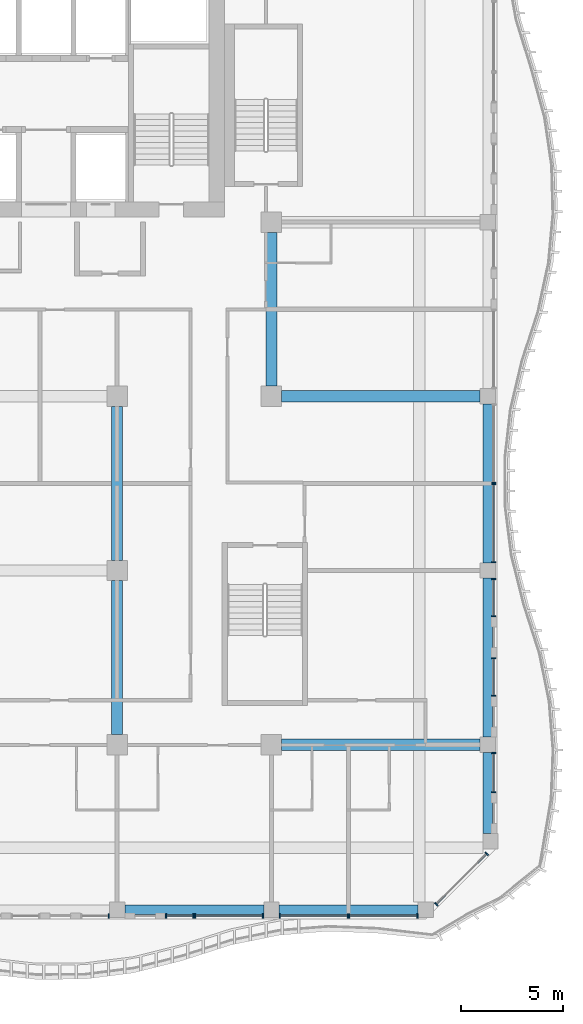
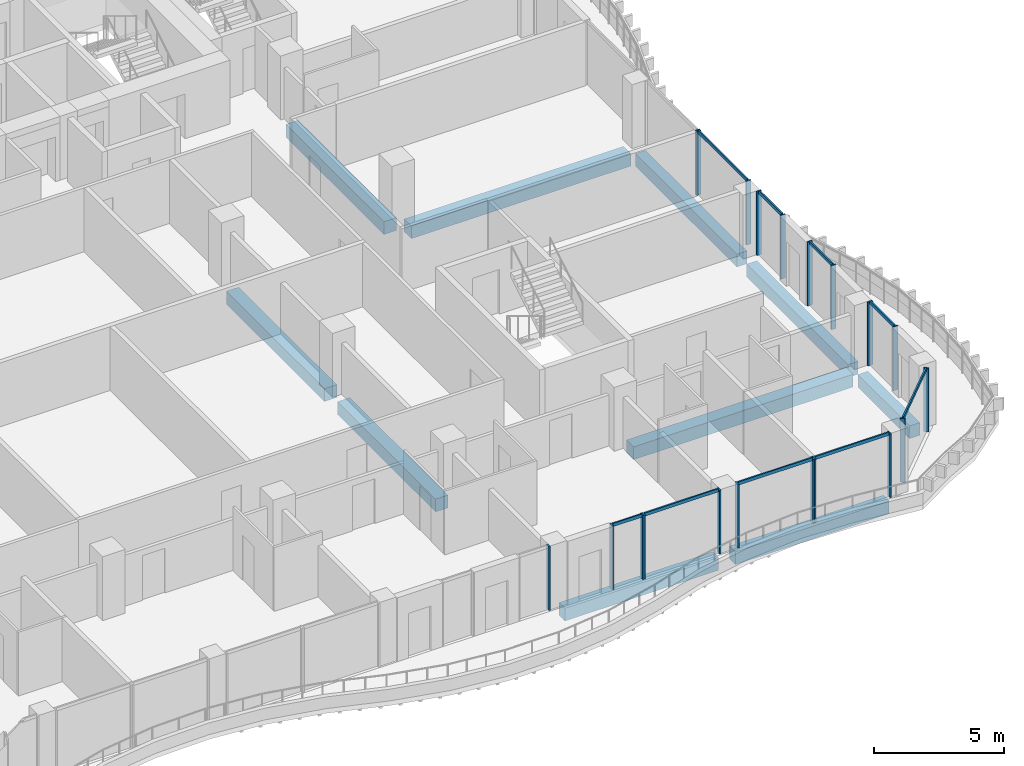
# One storey, part 4 of 22: 29 members, 10 beams, 11 elements without a shape of their own.
"""IFC4 building model written with IfcOpenShell, lengths in metres."""

import ifcopenshell
import ifcopenshell.guid

model = None  # the IFC model being written
_history = None  # IfcOwnerHistory: only IFC2X3 demands one
_inside = {}  # id of a spatial element -> (the spatial element, [elements in it])
_under = {}  # id of a project, library or spatial element -> (it, [spatial elements below it])
_declared = {}  # id of a project -> (the project, [libraries it declares])
_typed = {}  # id of a type object -> (the type object, [elements of that type])
_made_of = {}  # id of a material, layer set ... -> (it, [elements and type objects made of it])


def new_model(schema):
    """Start an empty IFC model of exactly this schema.

    Asked for "IFC4X3", IfcOpenShell would pick the latest addendum, in which some entities
    have other attributes; the version numbers below select the first issue.
    IFC2X3 requires an IfcOwnerHistory on every rooted entity: one is made here for all.
    """
    global model, _history
    if schema == "IFC4X3":
        model = ifcopenshell.file(schema_version=(4, 3, 0, 0))
    else:
        model = ifcopenshell.file(schema=schema)
    _inside.clear()
    _under.clear()
    _declared.clear()
    _typed.clear()
    _made_of.clear()
    _history = None
    if model.schema == "IFC2X3":
        org = make("IfcOrganization", Name="unknown")
        user = make(
            "IfcPersonAndOrganization",
            ThePerson=make("IfcPerson", FamilyName="unknown"),
            TheOrganization=org,
        )
        app = make(
            "IfcApplication",
            ApplicationDeveloper=org,
            Version="unknown",
            ApplicationFullName="unknown",
            ApplicationIdentifier="unknown",
        )
        _history = make(
            "IfcOwnerHistory",
            OwningUser=user,
            OwningApplication=app,
            ChangeAction="ADDED",
            CreationDate=0,
        )
    return model


def make(cls, **values):
    """One entity of the class cls with the attributes given. An attribute that is None is left unset."""
    return model.create_entity(
        cls, **{name: value for name, value in values.items() if value is not None}
    )


def rooted(cls, **values):
    """An entity with a GlobalId (a new one), such as an element, a storey or a relation."""
    return make(cls, GlobalId=ifcopenshell.guid.new(), OwnerHistory=_history, **values)


def si_unit(unit_type, name, prefix=None):
    """IfcSIUnit, for example si_unit("LENGTHUNIT", "METRE", prefix="MILLI")."""
    return make("IfcSIUnit", UnitType=unit_type, Prefix=prefix, Name=name)


def assignment(units):
    """IfcUnitAssignment: the units of a project."""
    return None if units is None else make("IfcUnitAssignment", Units=units)


def point(xyz):
    """IfcCartesianPoint."""
    return None if xyz is None else make("IfcCartesianPoint", Coordinates=xyz)


def direction(xyz):
    """IfcDirection."""
    return None if xyz is None else make("IfcDirection", DirectionRatios=xyz)


def frame(location, z_axis=None, x_axis=None):
    """IfcAxis2Placement3D, a coordinate frame: its origin and axes. An axis left out is left unset."""
    return make(
        "IfcAxis2Placement3D",
        Location=point(location),
        Axis=direction(z_axis),
        RefDirection=direction(x_axis),
    )


def frame_2d(location, x_axis=None):
    """IfcAxis2Placement2D, a coordinate frame in the plane: its origin and x axis."""
    return make(
        "IfcAxis2Placement2D", Location=point(location), RefDirection=direction(x_axis)
    )


def origin():
    """The frame at (0, 0, 0) with its axes left unset."""
    return frame((0.0, 0.0, 0.0))


def origin_2d():
    """The frame at (0, 0) in the plane with its x axis left unset."""
    return frame_2d((0.0, 0.0))


def place(relative_to, where):
    """IfcLocalPlacement: puts the frame where relative to a parent placement (None: the world)."""
    return make(
        "IfcLocalPlacement", PlacementRelTo=relative_to, RelativePlacement=where
    )


def context(
    kind, dimensions, precision=None, world=None, true_north=None, identifier=None
):
    """IfcGeometricRepresentationContext, for example the 3D "Model" context."""
    return make(
        "IfcGeometricRepresentationContext",
        ContextIdentifier=identifier,
        ContextType=kind,
        CoordinateSpaceDimension=dimensions,
        Precision=precision,
        WorldCoordinateSystem=world,
        TrueNorth=true_north,
    )


def subcontext(parent, identifier, kind, view, scale=None):
    """IfcGeometricRepresentationSubContext, for example "Body" below "Model"."""
    return make(
        "IfcGeometricRepresentationSubContext",
        ContextIdentifier=identifier,
        ContextType=kind,
        ParentContext=parent,
        TargetScale=scale,
        TargetView=view,
    )


def project(units=None, contexts=None):
    """IfcProject with its units and contexts."""
    return rooted(
        "IfcProject",
        Name="project",
        RepresentationContexts=contexts,
        UnitsInContext=assignment(units),
    )


def spatial(cls, under=None, at=None, **own):
    """A site, building, storey or space (cls), placed at a placement, below another one or the project."""
    s = rooted(cls, ObjectPlacement=at, **own)
    if under is not None:
        _under.setdefault(under.id(), (under, []))[1].append(s)
    return s


def profile(cls, at=None, kind="AREA", **sizes):
    """A parametric profile (cls). Its sizes go by their IFC names, for example OverallWidth=200.0."""
    return make(cls, ProfileType=kind, Position=at, **sizes)


def rectangle(**sizes):
    """IfcRectangleProfileDef."""
    return profile("IfcRectangleProfileDef", **sizes)


def extrude(swept, where, along, depth):
    """IfcExtrudedAreaSolid: the profile swept, set in the frame where, extruded along a direction by depth."""
    return make(
        "IfcExtrudedAreaSolid",
        SweptArea=swept,
        Position=where,
        ExtrudedDirection=direction(along),
        Depth=depth,
    )


def shape(context_of_items, identifier, shape_type, items):
    """IfcShapeRepresentation: the items that make up one representation, for example the "Body"."""
    return make(
        "IfcShapeRepresentation",
        ContextOfItems=context_of_items,
        RepresentationIdentifier=identifier,
        RepresentationType=shape_type,
        Items=items,
    )


def source(mapping_origin, context_of_items, identifier, shape_type, items):
    """IfcRepresentationMap: a shape defined once, which mapped items show again and again."""
    return make(
        "IfcRepresentationMap",
        MappingOrigin=mapping_origin,
        MappedRepresentation=shape(context_of_items, identifier, shape_type, items),
    )


def transform(
    local_origin,
    x_axis=None,
    y_axis=None,
    z_axis=None,
    scale=None,
    scale2=None,
    scale3=None,
    uniform=True,
):
    """IfcCartesianTransformationOperator3D, or its non-uniform kind. x_axis, y_axis, z_axis: its Axis1, 2, 3."""
    if uniform:
        return make(
            "IfcCartesianTransformationOperator3D",
            Axis1=direction(x_axis),
            Axis2=direction(y_axis),
            LocalOrigin=point(local_origin),
            Scale=scale,
            Axis3=direction(z_axis),
        )
    return make(
        "IfcCartesianTransformationOperator3DnonUniform",
        Axis1=direction(x_axis),
        Axis2=direction(y_axis),
        LocalOrigin=point(local_origin),
        Scale=scale,
        Axis3=direction(z_axis),
        Scale2=scale2,
        Scale3=scale3,
    )


def mapped(mapping_source, mapping_target):
    """IfcMappedItem: shows the shape of a source again, moved by a transform."""
    return make(
        "IfcMappedItem", MappingSource=mapping_source, MappingTarget=mapping_target
    )


def material(Name=None, Category=None):
    """IfcMaterial."""
    return make("IfcMaterial", Name=Name, Category=Category)


def material_profile(
    of_material, cross_section, Name=None, Category=None, Priority=None
):
    """IfcMaterialProfile: a cross section and its material."""
    return make(
        "IfcMaterialProfile",
        Name=Name,
        Material=of_material,
        Profile=cross_section,
        Priority=Priority,
        Category=Category,
    )


def profile_set(profiles, Name=None, composite=None):
    """IfcMaterialProfileSet."""
    return make(
        "IfcMaterialProfileSet",
        Name=Name,
        MaterialProfiles=profiles,
        CompositeProfile=composite,
    )


def made_of(thing, what):
    """Note that an element or type object is made of a material, layer set ...; save() writes the relation."""
    if what is not None:
        _made_of.setdefault(what.id(), (what, []))[1].append(thing)
    return thing


def type_object(cls, material=None, **own):
    """A type object (cls), such as IfcWallType, which elements share."""
    return made_of(rooted(cls, **own), material)


def element(
    cls,
    number,
    at=None,
    inside=None,
    cuts=None,
    type_object=None,
    material=None,
    context=None,
    identifier="Body",
    shape_type=None,
    held_by="IfcProductDefinitionShape",
    body=None,
    shapes=None,
    **own,
):
    """One element of the class cls, such as IfcWall. Its Tag is "e" and its number.

    at: its placement. inside: the storey or other place that contains it. cuts: it is an
    opening in that element (IfcRelVoidsElement). A single representation is given by context,
    identifier, shape_type and body (its items); several are given by shapes. held_by: the class
    of the entity that holds the representations. save() writes the other relations.
    """
    e = rooted(cls, Tag="e%d" % number, ObjectPlacement=at, **own)
    if body is not None:
        shapes = [shape(context, identifier, shape_type, body)]
    if shapes is not None:
        e.Representation = make(held_by, Representations=shapes)
    if inside is not None:
        _inside.setdefault(inside.id(), (inside, []))[1].append(e)
    if cuts is not None:
        rooted(
            "IfcRelVoidsElement", RelatingBuildingElement=cuts, RelatedOpeningElement=e
        )
    if type_object is not None:
        _typed.setdefault(type_object.id(), (type_object, []))[1].append(e)
    return made_of(e, material)


def aggregate(whole, parts):
    """IfcRelAggregates: a whole, such as a stair, and the parts it consists of."""
    return rooted("IfcRelAggregates", RelatingObject=whole, RelatedObjects=parts)


def save(model, path):
    """Write the relations noted so far, then the file.

    IfcRelAggregates (storeys below a building ...), IfcRelContainedInSpatialStructure (elements
    in a storey), IfcRelDefinesByType, IfcRelAssociatesMaterial and IfcRelDeclares: one each for
    every whole, place, type object, material and project.
    """
    for whole, parts in _under.values():
        aggregate(whole, parts)
    for where, things in _inside.values():
        rooted(
            "IfcRelContainedInSpatialStructure",
            RelatedElements=things,
            RelatingStructure=where,
        )
    for kind, things in _typed.values():
        rooted("IfcRelDefinesByType", RelatedObjects=things, RelatingType=kind)
    for what, things in _made_of.values():
        rooted("IfcRelAssociatesMaterial", RelatedObjects=things, RelatingMaterial=what)
    for by, libraries in _declared.values():
        rooted("IfcRelDeclares", RelatingContext=by, RelatedDefinitions=libraries)
    model.write(path)


model = new_model("IFC4")

# Units and contexts
model_context = context("Model", 3, precision=1e-05, world=origin(), true_north=direction((0.0, 1.0)))
body_context = subcontext(model_context, "Body", "Model", "MODEL_VIEW")
ifc_project = project(units=[si_unit("LENGTHUNIT", "METRE"), si_unit("AREAUNIT", "SQUARE_METRE"), si_unit("VOLUMEUNIT", "CUBIC_METRE"), si_unit("PLANEANGLEUNIT", "RADIAN"), si_unit("MASSUNIT", "GRAM", prefix="KILO")], contexts=[model_context])

# Site, building, storey
site_placement = place(None, origin())
site = spatial("IfcSite", under=ifc_project, at=site_placement, CompositionType="ELEMENT")
building_placement = place(site_placement, origin())
building = spatial("IfcBuilding", under=site, at=building_placement, Name="Kilnfold Tower and Market Hall", CompositionType="ELEMENT")
storey_placement = place(building_placement, frame((0.0, 0.0, 220.300048828125)))
storey = spatial("IfcBuildingStorey", under=building, at=storey_placement, Name="L54", CompositionType="ELEMENT", Elevation=220.300048828125)

# Beams
ifc_material_1 = material(Name="Concrete C45", Category="concrete")
ifc_material_profile_1 = material_profile(ifc_material_1, rectangle(XDim=0.449951171875, YDim=0.60009765625, at=origin_2d()), Name="RC 450x600")
ifc_profile_set_1 = profile_set([ifc_material_profile_1], Name="Concrete C45")
beam_type_1 = type_object("IfcBeamType", Name="EDGE BEAM 450X600 C45", PredefinedType="BEAM", material=ifc_profile_set_1)
shared_shape_1 = source(origin(), body_context, "Body", "SweptSolid", [
    extrude(rectangle(XDim=0.449951171875, YDim=0.60009765625, at=origin_2d()), origin(), (0.0, 0.0, 1.0), 6.833251953125),
])
beam_1_placement = place(storey_placement, frame((20.541748046875, -25.800048828125, -0.580078125), z_axis=(1.0, 0.0, 0.0), x_axis=(0.0, 1.0, 0.0)))
element("IfcBeam", 1, at=beam_1_placement, inside=storey, type_object=beam_type_1, Name="Beam EB600-B6.44", PredefinedType="BEAM", context=body_context, shape_type="MappedRepresentation", body=[
    mapped(shared_shape_1, transform((0.0, 0.0, 0.0))),
])
shared_shape_2 = source(origin(), body_context, "Body", "SweptSolid", [
    extrude(rectangle(XDim=0.449951171875, YDim=0.60009765625, at=origin_2d()), origin(), (0.0, 0.0, 1.0), 6.83349609375),
])
beam_2_placement = place(storey_placement, frame((12.958251953125, -25.800048828125, -0.580078125), z_axis=(1.0, 0.0, 0.0), x_axis=(0.0, 1.0, 0.0)))
element("IfcBeam", 2, at=beam_2_placement, inside=storey, type_object=beam_type_1, Name="Beam EB600-B6.43", PredefinedType="BEAM", context=body_context, shape_type="MappedRepresentation", body=[
    mapped(shared_shape_2, transform((0.0, 0.0, 0.0))),
])
ifc_material_2 = material(Name="Concrete C45", Category="concrete")
ifc_material_profile_2 = material_profile(ifc_material_2, rectangle(XDim=0.550048828125, YDim=0.60009765625, at=origin_2d()), Name="RC 550x600")
ifc_profile_set_2 = profile_set([ifc_material_profile_2], Name="Concrete C45")
beam_type_2 = type_object("IfcBeamType", Name="BEAM 550X600 C45", PredefinedType="BEAM", material=ifc_profile_set_2)
shared_shape_3 = source(origin(), body_context, "Body", "SweptSolid", [
    extrude(rectangle(XDim=0.550048828125, YDim=0.60009765625, at=origin_2d()), origin(), (0.0, 0.0, 1.0), 9.75830078125),
])
for number, where, z_axis, x_axis, name in (
    (3, (20.666748046875, -17.68994140625, -0.580078125), (1.0, 0.0, 0.0), (0.0, 1.0, 0.0), "Beam BB600-B6.47"),
    (4, (20.666748046875, -0.56005859375, -0.580078125), (1.0, 0.0, 0.0), (0.0, 1.0, 0.0), "Beam BB600-B6.51"),
):
    element("IfcBeam", number, at=place(storey_placement, frame(where, z_axis=z_axis, x_axis=x_axis)), inside=storey, type_object=beam_type_2, Name=name, PredefinedType="BEAM", context=body_context, shape_type="MappedRepresentation", body=[
        mapped(shared_shape_3, transform((0.0, 0.0, 0.0))),
    ])
shared_shape_4 = source(origin(), body_context, "Body", "SweptSolid", [
    extrude(rectangle(XDim=0.449951171875, YDim=0.60009765625, at=origin_2d()), origin(), (0.0, 0.0, 1.0), 7.8125),
])
for number, where, z_axis, x_axis, name in (
    (5, (30.800048828125, -17.3125, -0.580078125), (0.0, 1.0, 0.0), (-1.0, 0.0, 0.0), "Beam EB600-B6.71"),
    (6, (30.800048828125, -8.75, -0.580078125), (0.0, 1.0, 0.0), (-1.0, 0.0, 0.0), "Beam EB600-B6.72"),
):
    element("IfcBeam", number, at=place(storey_placement, frame(where, z_axis=z_axis, x_axis=x_axis)), inside=storey, type_object=beam_type_1, Name=name, PredefinedType="BEAM", context=body_context, shape_type="MappedRepresentation", body=[
        mapped(shared_shape_4, transform((0.0, 0.0, 0.0))),
    ])
shared_shape_5 = source(origin(), body_context, "Body", "SweptSolid", [
    extrude(rectangle(XDim=0.550048828125, YDim=0.60009765625, at=origin_2d()), origin(), (0.0, 0.0, 1.0), 7.5625),
])
for number, where, z_axis, x_axis, name in (
    (7, (12.580078125, -17.1875, -0.580078125), (0.0, 1.0, 0.0), (-1.0, 0.0, 0.0), "Beam BB600-B6.66"),
    (8, (12.580078125, -8.625, -0.580078125), (0.0, 1.0, 0.0), (-1.0, 0.0, 0.0), "Beam BB600-B6.67"),
    (9, (20.169921875, -0.0625, -0.580078125), (0.0, 1.0, 0.0), (-1.0, 0.0, 0.0), "Beam BB600-B6.68"),
):
    element("IfcBeam", number, at=place(storey_placement, frame(where, z_axis=z_axis, x_axis=x_axis)), inside=storey, type_object=beam_type_2, Name=name, PredefinedType="BEAM", context=body_context, shape_type="MappedRepresentation", body=[
        mapped(shared_shape_5, transform((0.0, 0.0, 0.0))),
    ])
shared_shape_6 = source(origin(), body_context, "Body", "SweptSolid", [
    extrude(rectangle(XDim=0.449951171875, YDim=0.60009765625, at=origin_2d()), origin(), (0.0, 0.0, 1.0), 3.994384765625),
])
beam_3_placement = place(storey_placement, frame((30.800048828125, -22.056884765625, -0.580078125), z_axis=(0.0, 1.0, 0.0), x_axis=(-1.0, 0.0, 0.0)))
element("IfcBeam", 10, at=beam_3_placement, inside=storey, type_object=beam_type_1, Name="Beam EB600-B6.70", PredefinedType="BEAM", context=body_context, shape_type="MappedRepresentation", body=[
    mapped(shared_shape_6, transform((0.0, 0.0, 0.0))),
])

# Curtain wall, member
ifc_material_3 = material(Name="Aluminium and double glazing", Category="aluminium")
curtain_wall_type = type_object("IfcCurtainWallType", Name="CW GARDEN HOTEL WINTER GARDEN", PredefinedType="NOTDEFINED", material=ifc_material_3)
curtain_wall_1_placement = place(storey_placement, origin())
curtain_wall_1 = element("IfcCurtainWall", 11, at=curtain_wall_1_placement, inside=storey, type_object=curtain_wall_type, Name="Curtain wall CW5 L54 S", PredefinedType="NOTDEFINED")
ifc_material_4 = material(Name="Aluminium", Category="aluminium")
ifc_material_profile_3 = material_profile(ifc_material_4, rectangle(XDim=0.06494140625, YDim=0.2099609375, at=origin_2d()), Name="MULLION 65x210")
ifc_profile_set_3 = profile_set([ifc_material_profile_3], Name="Aluminium")
member_type_1 = type_object("IfcMemberType", Name="MULLION 65X210", PredefinedType="MULLION", material=ifc_profile_set_3)
shared_shape_7 = source(origin(), body_context, "Body", "SweptSolid", [
    extrude(rectangle(XDim=0.06494140625, YDim=0.2099609375, at=origin_2d()), origin(), (0.0, 0.0, 1.0), 3.0),
])
member_1_placement = place(storey_placement, frame((12.17578125, -26.10009765625, 0.0), z_axis=(0.0, 0.0, 1.0), x_axis=(1.0, 0.0, 0.0)))
member_1 = element("IfcMember", 12, at=member_1_placement, type_object=member_type_1, Name="CW5 mullion 2", PredefinedType="MULLION", context=body_context, shape_type="MappedRepresentation", body=[
    mapped(shared_shape_7, transform((0.0, 0.0, 0.0))),
])
aggregate(curtain_wall_1, [member_1])

# Curtain wall, members
curtain_wall_2_placement = place(storey_placement, origin())
curtain_wall_2 = element("IfcCurtainWall", 13, at=curtain_wall_2_placement, inside=storey, type_object=curtain_wall_type, Name="Curtain wall CW5 L54 S", PredefinedType="NOTDEFINED")
member_2_placement = place(storey_placement, frame((14.99072265625, -26.10009765625, 0.0), z_axis=(0.0, 0.0, 1.0), x_axis=(1.0, 0.0, 0.0)))
member_2 = element("IfcMember", 14, at=member_2_placement, type_object=member_type_1, Name="CW5 mullion 1", PredefinedType="MULLION", context=body_context, shape_type="MappedRepresentation", body=[
    mapped(shared_shape_7, transform((0.0, 0.0, 0.0))),
])
member_3_placement = place(storey_placement, frame((16.342529296875, -26.10009765625, 0.0), z_axis=(0.0, 0.0, 1.0), x_axis=(1.0, 0.0, 0.0)))
member_3 = element("IfcMember", 15, at=member_3_placement, type_object=member_type_1, Name="CW5 mullion 2", PredefinedType="MULLION", context=body_context, shape_type="MappedRepresentation", body=[
    mapped(shared_shape_7, transform((0.0, 0.0, 0.0))),
])

curtain_wall_3_placement = place(storey_placement, origin())
curtain_wall_3 = element("IfcCurtainWall", 16, at=curtain_wall_3_placement, inside=storey, type_object=curtain_wall_type, Name="Curtain wall CW5 L54 S", PredefinedType="NOTDEFINED")
member_4_placement = place(storey_placement, frame((16.407470703125, -26.10009765625, 0.0), z_axis=(0.0, 0.0, 1.0), x_axis=(1.0, 0.0, 0.0)))
member_4 = element("IfcMember", 17, at=member_4_placement, type_object=member_type_1, Name="CW5 mullion 1", PredefinedType="MULLION", context=body_context, shape_type="MappedRepresentation", body=[
    mapped(shared_shape_7, transform((0.0, 0.0, 0.0))),
])
member_5_placement = place(storey_placement, frame((19.75927734375, -26.10009765625, 0.0), z_axis=(0.0, 0.0, 1.0), x_axis=(1.0, 0.0, 0.0)))
member_5 = element("IfcMember", 18, at=member_5_placement, type_object=member_type_1, Name="CW5 mullion 2", PredefinedType="MULLION", context=body_context, shape_type="MappedRepresentation", body=[
    mapped(shared_shape_7, transform((0.0, 0.0, 0.0))),
])

curtain_wall_4_placement = place(storey_placement, origin())
curtain_wall_4 = element("IfcCurtainWall", 19, at=curtain_wall_4_placement, inside=storey, type_object=curtain_wall_type, Name="Curtain wall CW5 L54 S", PredefinedType="NOTDEFINED")
member_6_placement = place(storey_placement, frame((20.57421875, -26.10009765625, 0.0), z_axis=(0.0, 0.0, 1.0), x_axis=(1.0, 0.0, 0.0)))
member_6 = element("IfcMember", 20, at=member_6_placement, type_object=member_type_1, Name="CW5 mullion 1", PredefinedType="MULLION", context=body_context, shape_type="MappedRepresentation", body=[
    mapped(shared_shape_7, transform((0.0, 0.0, 0.0))),
])
member_7_placement = place(storey_placement, frame((23.92578125, -26.10009765625, 0.0), z_axis=(0.0, 0.0, 1.0), x_axis=(1.0, 0.0, 0.0)))
member_7 = element("IfcMember", 21, at=member_7_placement, type_object=member_type_1, Name="CW5 mullion 2", PredefinedType="MULLION", context=body_context, shape_type="MappedRepresentation", body=[
    mapped(shared_shape_7, transform((0.0, 0.0, 0.0))),
])

curtain_wall_5_placement = place(storey_placement, origin())
curtain_wall_5 = element("IfcCurtainWall", 22, at=curtain_wall_5_placement, inside=storey, type_object=curtain_wall_type, Name="Curtain wall CW5 L54 S", PredefinedType="NOTDEFINED")
member_8_placement = place(storey_placement, frame((23.99072265625, -26.10009765625, 0.0), z_axis=(0.0, 0.0, 1.0), x_axis=(1.0, 0.0, 0.0)))
member_8 = element("IfcMember", 23, at=member_8_placement, type_object=member_type_1, Name="CW5 mullion 1", PredefinedType="MULLION", context=body_context, shape_type="MappedRepresentation", body=[
    mapped(shared_shape_7, transform((0.0, 0.0, 0.0))),
])
member_9_placement = place(storey_placement, frame((27.342529296875, -26.10009765625, 0.0), z_axis=(0.0, 0.0, 1.0), x_axis=(1.0, 0.0, 0.0)))
member_9 = element("IfcMember", 24, at=member_9_placement, type_object=member_type_1, Name="CW5 mullion 2", PredefinedType="MULLION", context=body_context, shape_type="MappedRepresentation", body=[
    mapped(shared_shape_7, transform((0.0, 0.0, 0.0))),
])

curtain_wall_6_placement = place(storey_placement, origin())
curtain_wall_6 = element("IfcCurtainWall", 25, at=curtain_wall_6_placement, inside=storey, type_object=curtain_wall_type, Name="Curtain wall CW5 L54 SE", PredefinedType="NOTDEFINED")
member_10_placement = place(storey_placement, frame((28.266845703125, -25.52099609375, 0.0), z_axis=(0.0, 0.0, 1.0), x_axis=(0.707092779216, 0.70712078288, 0.0)))
member_10 = element("IfcMember", 26, at=member_10_placement, type_object=member_type_1, Name="CW5 mullion 1", PredefinedType="MULLION", context=body_context, shape_type="MappedRepresentation", body=[
    mapped(shared_shape_7, transform((0.0, 0.0, 0.0))),
])
member_11_placement = place(storey_placement, frame((30.745849609375, -23.0419921875, 0.0), z_axis=(0.0, 0.0, 1.0), x_axis=(0.707092779216, 0.70712078288, 0.0)))
member_11 = element("IfcMember", 27, at=member_11_placement, type_object=member_type_1, Name="CW5 mullion 2", PredefinedType="MULLION", context=body_context, shape_type="MappedRepresentation", body=[
    mapped(shared_shape_7, transform((0.0, 0.0, 0.0))),
])

curtain_wall_7_placement = place(storey_placement, origin())
curtain_wall_7 = element("IfcCurtainWall", 28, at=curtain_wall_7_placement, inside=storey, type_object=curtain_wall_type, Name="Curtain wall CW5 L54 E", PredefinedType="NOTDEFINED")
member_12_placement = place(storey_placement, frame((31.10009765625, -20.0244140625, 0.0), z_axis=(0.0, 0.0, 1.0), x_axis=(0.0, 1.0, 0.0)))
member_12 = element("IfcMember", 29, at=member_12_placement, type_object=member_type_1, Name="CW5 mullion 1", PredefinedType="MULLION", context=body_context, shape_type="MappedRepresentation", body=[
    mapped(shared_shape_7, transform((0.0, 0.0, 0.0))),
])
member_13_placement = place(storey_placement, frame((31.10009765625, -18.094970703125, 0.0), z_axis=(0.0, 0.0, 1.0), x_axis=(0.0, 1.0, 0.0)))
member_13 = element("IfcMember", 30, at=member_13_placement, type_object=member_type_1, Name="CW5 mullion 2", PredefinedType="MULLION", context=body_context, shape_type="MappedRepresentation", body=[
    mapped(shared_shape_7, transform((0.0, 0.0, 0.0))),
])

curtain_wall_8_placement = place(storey_placement, origin())
curtain_wall_8 = element("IfcCurtainWall", 31, at=curtain_wall_8_placement, inside=storey, type_object=curtain_wall_type, Name="Curtain wall CW5 L54 E", PredefinedType="NOTDEFINED")
member_14_placement = place(storey_placement, frame((31.10009765625, -15.280029296875, 0.0), z_axis=(0.0, 0.0, 1.0), x_axis=(0.0, 1.0, 0.0)))
member_14 = element("IfcMember", 32, at=member_14_placement, type_object=member_type_1, Name="CW5 mullion 1", PredefinedType="MULLION", context=body_context, shape_type="MappedRepresentation", body=[
    mapped(shared_shape_7, transform((0.0, 0.0, 0.0))),
])
member_15_placement = place(storey_placement, frame((31.10009765625, -13.438720703125, 0.0), z_axis=(0.0, 0.0, 1.0), x_axis=(0.0, 1.0, 0.0)))
member_15 = element("IfcMember", 33, at=member_15_placement, type_object=member_type_1, Name="CW5 mullion 2", PredefinedType="MULLION", context=body_context, shape_type="MappedRepresentation", body=[
    mapped(shared_shape_7, transform((0.0, 0.0, 0.0))),
])

curtain_wall_9_placement = place(storey_placement, origin())
curtain_wall_9 = element("IfcCurtainWall", 34, at=curtain_wall_9_placement, inside=storey, type_object=curtain_wall_type, Name="Curtain wall CW5 L54 E", PredefinedType="NOTDEFINED")
member_16_placement = place(storey_placement, frame((31.10009765625, -11.373779296875, 0.0), z_axis=(0.0, 0.0, 1.0), x_axis=(0.0, 1.0, 0.0)))
member_16 = element("IfcMember", 35, at=member_16_placement, type_object=member_type_1, Name="CW5 mullion 1", PredefinedType="MULLION", context=body_context, shape_type="MappedRepresentation", body=[
    mapped(shared_shape_7, transform((0.0, 0.0, 0.0))),
])
member_17_placement = place(storey_placement, frame((31.10009765625, -9.532470703125, 0.0), z_axis=(0.0, 0.0, 1.0), x_axis=(0.0, 1.0, 0.0)))
member_17 = element("IfcMember", 36, at=member_17_placement, type_object=member_type_1, Name="CW5 mullion 2", PredefinedType="MULLION", context=body_context, shape_type="MappedRepresentation", body=[
    mapped(shared_shape_7, transform((0.0, 0.0, 0.0))),
])

curtain_wall_10_placement = place(storey_placement, origin())
curtain_wall_10 = element("IfcCurtainWall", 37, at=curtain_wall_10_placement, inside=storey, type_object=curtain_wall_type, Name="Curtain wall CW5 L54 E", PredefinedType="NOTDEFINED")
member_18_placement = place(storey_placement, frame((31.10009765625, -8.717529296875, 0.0), z_axis=(0.0, 0.0, 1.0), x_axis=(0.0, 1.0, 0.0)))
member_18 = element("IfcMember", 38, at=member_18_placement, type_object=member_type_1, Name="CW5 mullion 1", PredefinedType="MULLION", context=body_context, shape_type="MappedRepresentation", body=[
    mapped(shared_shape_7, transform((0.0, 0.0, 0.0))),
])
member_19_placement = place(storey_placement, frame((31.10009765625, -4.876220703125, 0.0), z_axis=(0.0, 0.0, 1.0), x_axis=(0.0, 1.0, 0.0)))
member_19 = element("IfcMember", 39, at=member_19_placement, type_object=member_type_1, Name="CW5 mullion 2", PredefinedType="MULLION", context=body_context, shape_type="MappedRepresentation", body=[
    mapped(shared_shape_7, transform((0.0, 0.0, 0.0))),
])

# Curtain wall, member
curtain_wall_11_placement = place(storey_placement, origin())
curtain_wall_11 = element("IfcCurtainWall", 40, at=curtain_wall_11_placement, inside=storey, type_object=curtain_wall_type, Name="Curtain wall CW5 L54 E", PredefinedType="NOTDEFINED")
member_20_placement = place(storey_placement, frame((31.10009765625, -4.811279296875, 0.0), z_axis=(0.0, 0.0, 1.0), x_axis=(0.0, 1.0, 0.0)))
member_20 = element("IfcMember", 41, at=member_20_placement, type_object=member_type_1, Name="CW5 mullion 1", PredefinedType="MULLION", context=body_context, shape_type="MappedRepresentation", body=[
    mapped(shared_shape_7, transform((0.0, 0.0, 0.0))),
])
aggregate(curtain_wall_11, [member_20])

# Member
ifc_material_5 = material(Name="Aluminium", Category="aluminium")
ifc_material_profile_4 = material_profile(ifc_material_5, rectangle(XDim=0.06494140625, YDim=0.14990234375, at=origin_2d()), Name="TRANSOM 65x150")
ifc_profile_set_4 = profile_set([ifc_material_profile_4], Name="Aluminium")
member_type_2 = type_object("IfcMemberType", Name="TRANSOM 65X150", PredefinedType="USERDEFINED", material=ifc_profile_set_4)
shared_shape_8 = source(origin(), body_context, "Body", "SweptSolid", [
    extrude(rectangle(XDim=0.06494140625, YDim=0.14990234375, at=origin_2d()), origin(), (0.0, 0.0, 1.0), 1.286865234375),
])
member_21_placement = place(storey_placement, frame((15.023193359375, -26.10009765625, 2.967529296875), z_axis=(1.0, 0.0, 0.0), x_axis=(0.0, 1.0, 0.0)))
member_21 = element("IfcMember", 42, at=member_21_placement, type_object=member_type_2, Name="CW5 transom 1.2", ObjectType="TRANSOM", PredefinedType="USERDEFINED", context=body_context, shape_type="MappedRepresentation", body=[
    mapped(shared_shape_8, transform((0.0, 0.0, 0.0))),
])

aggregate(curtain_wall_2, [member_2, member_3, member_21])

shared_shape_9 = source(origin(), body_context, "Body", "SweptSolid", [
    extrude(rectangle(XDim=0.06494140625, YDim=0.14990234375, at=origin_2d()), origin(), (0.0, 0.0, 1.0), 3.286865234375),
])
member_22_placement = place(storey_placement, frame((16.43994140625, -26.10009765625, 2.967529296875), z_axis=(1.0, 0.0, 0.0), x_axis=(0.0, 1.0, 0.0)))
member_22 = element("IfcMember", 43, at=member_22_placement, type_object=member_type_2, Name="CW5 transom 1.2", ObjectType="TRANSOM", PredefinedType="USERDEFINED", context=body_context, shape_type="MappedRepresentation", body=[
    mapped(shared_shape_9, transform((0.0, 0.0, 0.0))),
])

aggregate(curtain_wall_3, [member_4, member_5, member_22])

member_23_placement = place(storey_placement, frame((24.023193359375, -26.10009765625, 2.967529296875), z_axis=(1.0, 0.0, 0.0), x_axis=(0.0, 1.0, 0.0)))
member_23 = element("IfcMember", 44, at=member_23_placement, type_object=member_type_2, Name="CW5 transom 1.2", ObjectType="TRANSOM", PredefinedType="USERDEFINED", context=body_context, shape_type="MappedRepresentation", body=[
    mapped(shared_shape_9, transform((0.0, 0.0, 0.0))),
])

aggregate(curtain_wall_5, [member_8, member_9, member_23])

shared_shape_10 = source(origin(), body_context, "Body", "SweptSolid", [
    extrude(rectangle(XDim=0.06494140625, YDim=0.14990234375, at=origin_2d()), origin(), (0.0, 0.0, 1.0), 3.28662109375),
])
member_24_placement = place(storey_placement, frame((20.606689453125, -26.10009765625, 2.967529296875), z_axis=(1.0, 0.0, 0.0), x_axis=(0.0, 1.0, 0.0)))
member_24 = element("IfcMember", 45, at=member_24_placement, type_object=member_type_2, Name="CW5 transom 1.2", ObjectType="TRANSOM", PredefinedType="USERDEFINED", context=body_context, shape_type="MappedRepresentation", body=[
    mapped(shared_shape_10, transform((0.0, 0.0, 0.0))),
])

aggregate(curtain_wall_4, [member_6, member_7, member_24])

shared_shape_11 = source(origin(), body_context, "Body", "SweptSolid", [
    extrude(rectangle(XDim=0.06494140625, YDim=0.14990234375, at=origin_2d()), origin(), (0.0, 0.0, 1.0), 3.44091796875),
])
member_25_placement = place(storey_placement, frame((28.289794921875, -25.498046875, 2.967529296875), z_axis=(0.707106781187, 0.707106781187, 0.0), x_axis=(-0.707106781187, 0.707106781187, 0.0)))
member_25 = element("IfcMember", 46, at=member_25_placement, type_object=member_type_2, Name="CW5 transom 1.2", ObjectType="TRANSOM", PredefinedType="USERDEFINED", context=body_context, shape_type="MappedRepresentation", body=[
    mapped(shared_shape_11, transform((0.0, 0.0, 0.0))),
])

aggregate(curtain_wall_6, [member_10, member_11, member_25])

shared_shape_12 = source(origin(), body_context, "Body", "SweptSolid", [
    extrude(rectangle(XDim=0.06494140625, YDim=0.14990234375, at=origin_2d()), origin(), (0.0, 0.0, 1.0), 1.8642578125),
])
member_26_placement = place(storey_placement, frame((31.10009765625, -19.99169921875, 2.967529296875), z_axis=(0.0, 1.0, 0.0), x_axis=(-1.0, 0.0, 0.0)))
member_26 = element("IfcMember", 47, at=member_26_placement, type_object=member_type_2, Name="CW5 transom 1.2", ObjectType="TRANSOM", PredefinedType="USERDEFINED", context=body_context, shape_type="MappedRepresentation", body=[
    mapped(shared_shape_12, transform((0.0, 0.0, 0.0))),
])

aggregate(curtain_wall_7, [member_12, member_13, member_26])

shared_shape_13 = source(origin(), body_context, "Body", "SweptSolid", [
    extrude(rectangle(XDim=0.06494140625, YDim=0.14990234375, at=origin_2d()), origin(), (0.0, 0.0, 1.0), 1.7763671875),
])
member_27_placement = place(storey_placement, frame((31.10009765625, -15.24755859375, 2.967529296875), z_axis=(0.0, 1.0, 0.0), x_axis=(-1.0, 0.0, 0.0)))
member_27 = element("IfcMember", 48, at=member_27_placement, type_object=member_type_2, Name="CW5 transom 1.2", ObjectType="TRANSOM", PredefinedType="USERDEFINED", context=body_context, shape_type="MappedRepresentation", body=[
    mapped(shared_shape_13, transform((0.0, 0.0, 0.0))),
])

aggregate(curtain_wall_8, [member_14, member_15, member_27])

member_28_placement = place(storey_placement, frame((31.10009765625, -11.34130859375, 2.967529296875), z_axis=(0.0, 1.0, 0.0), x_axis=(-1.0, 0.0, 0.0)))
member_28 = element("IfcMember", 49, at=member_28_placement, type_object=member_type_2, Name="CW5 transom 1.2", ObjectType="TRANSOM", PredefinedType="USERDEFINED", context=body_context, shape_type="MappedRepresentation", body=[
    mapped(shared_shape_13, transform((0.0, 0.0, 0.0))),
])

aggregate(curtain_wall_9, [member_16, member_17, member_28])

shared_shape_14 = source(origin(), body_context, "Body", "SweptSolid", [
    extrude(rectangle(XDim=0.06494140625, YDim=0.14990234375, at=origin_2d()), origin(), (0.0, 0.0, 1.0), 3.7763671875),
])
member_29_placement = place(storey_placement, frame((31.10009765625, -8.68505859375, 2.967529296875), z_axis=(0.0, 1.0, 0.0), x_axis=(-1.0, 0.0, 0.0)))
member_29 = element("IfcMember", 50, at=member_29_placement, type_object=member_type_2, Name="CW5 transom 1.2", ObjectType="TRANSOM", PredefinedType="USERDEFINED", context=body_context, shape_type="MappedRepresentation", body=[
    mapped(shared_shape_14, transform((0.0, 0.0, 0.0))),
])

aggregate(curtain_wall_10, [member_18, member_19, member_29])

save(model, "model.ifc")
